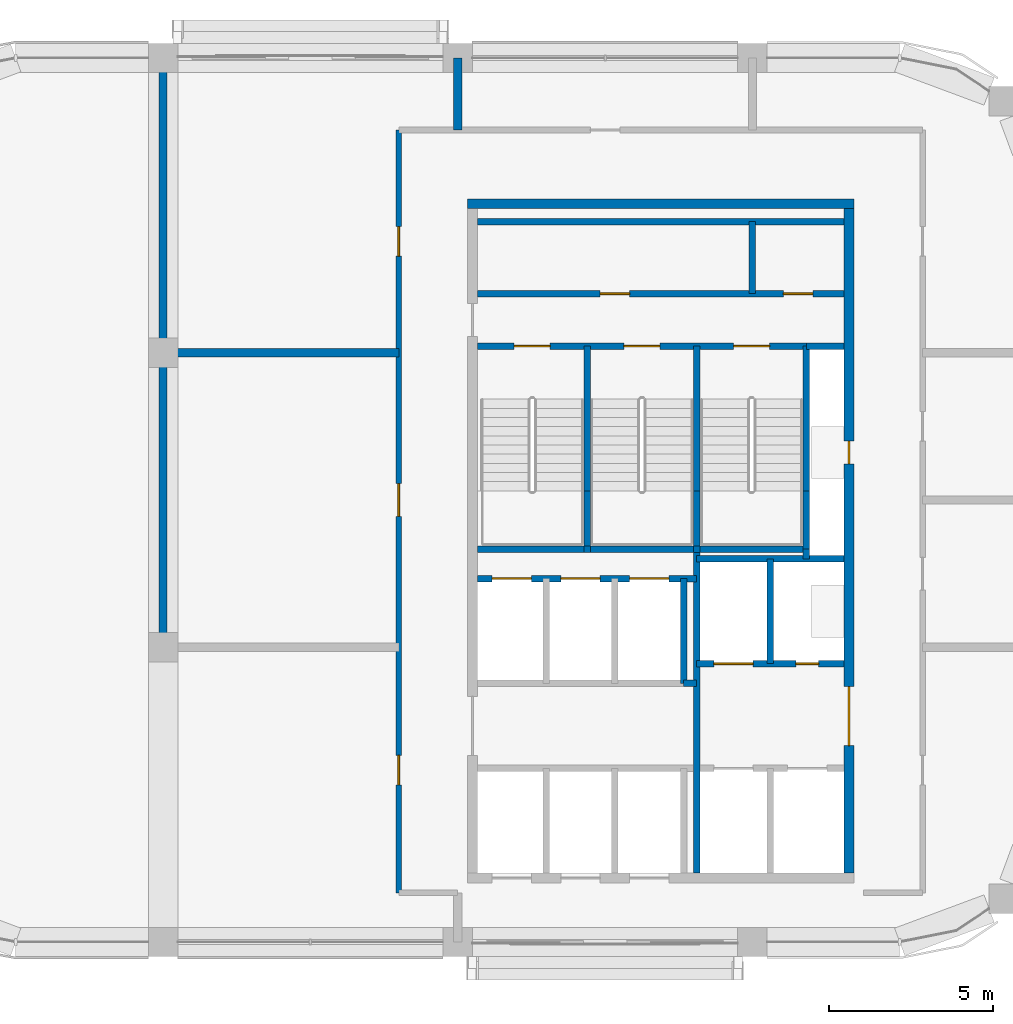
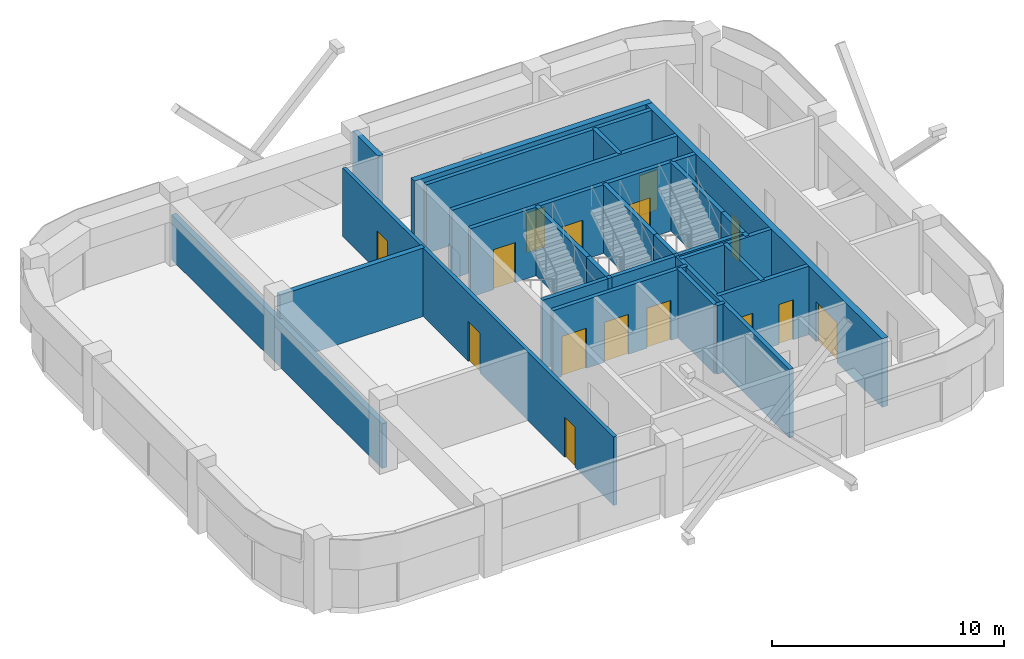
# One storey, part 7 of 9: 30 walls, 15 doors, 15 openings.
"""IFC4 building model written with IfcOpenShell, lengths in metres."""

from ifc_helpers import new_model, si_unit, direction, frame, frame_2d, origin, place, context, subcontext, project, spatial, rectangle, extrude, material, layer, layer_set, type_object, element, fill, save


model = new_model("IFC4")

# Units and contexts
model_context = context("Model", 3, precision=1e-05, world=origin(), true_north=direction((0.0, 1.0)))
body_context = subcontext(model_context, "Body", "Model", "MODEL_VIEW")
ifc_project = project(units=[si_unit("LENGTHUNIT", "METRE"), si_unit("AREAUNIT", "SQUARE_METRE"), si_unit("VOLUMEUNIT", "CUBIC_METRE"), si_unit("PLANEANGLEUNIT", "RADIAN"), si_unit("MASSUNIT", "GRAM", prefix="KILO")], contexts=[model_context])

# Site, building, storey
site_placement = place(None, origin())
site = spatial("IfcSite", under=ifc_project, at=site_placement, CompositionType="ELEMENT")
building_placement = place(site_placement, origin())
building = spatial("IfcBuilding", under=site, at=building_placement, Name="Tessera Arch", CompositionType="ELEMENT")
storey_placement = place(building_placement, frame((0.0, 0.0, 316.800048828125)))
storey = spatial("IfcBuildingStorey", under=building, at=storey_placement, Name="L76", CompositionType="ELEMENT", Elevation=316.800048828125)

# Walls
ifc_material_1 = material(Name="Gypsum board on steel stud", Category="steel")
ifc_layer_1 = layer(ifc_material_1, 0.125)
ifc_layer_set_1 = layer_set([ifc_layer_1], Name="Core partition 125 EI 60")
wall_type_1 = type_object("IfcWallType", Name="Core partition 125 EI 60", PredefinedType="PARTITIONING", material=ifc_layer_set_1)
wall_1_placement = place(storey_placement, frame((45.0, 46.800048828125, 0.0), z_axis=(0.0, 0.0, 1.0), x_axis=(0.0, 1.0, 0.0)))
element("IfcWall", 1, at=wall_1_placement, inside=storey, type_object=wall_type_1, Name="L76 C1 partition wall 12", PredefinedType="PARTITIONING", context=body_context, shape_type="SweptSolid", body=[
    extrude(rectangle(XDim=2.199951171875, YDim=0.199951171875, at=frame_2d((1.10009765625, 0.0))), origin(), (0.0, 0.0, 1.0), 3.599853515625),
])
wall_2_placement = place(storey_placement, frame((42.89990234375, 34.89990234375, 0.0), z_axis=(0.0, 0.0, 1.0), x_axis=(1.0, 0.0, 0.0)))
element("IfcWall", 2, at=wall_2_placement, inside=storey, type_object=wall_type_1, Name="L76 C1 partition wall 19", PredefinedType="PARTITIONING", context=body_context, shape_type="SweptSolid", body=[
    extrude(rectangle(XDim=0.400146484375, YDim=0.199951171875, at=frame_2d((0.2001953125, 0.0))), origin(), (0.0, 0.0, 1.0), 3.599853515625),
])

# Wall, openings, doors
wall_3_placement = place(storey_placement, frame((36.60009765625, 46.800048828125, 0.0), z_axis=(0.0, 0.0, 1.0), x_axis=(1.0, 0.0, 0.0)))
wall_3 = element("IfcWall", 3, at=wall_3_placement, inside=storey, type_object=wall_type_1, Name="L76 C1 partition wall 31", PredefinedType="PARTITIONING", context=body_context, shape_type="SweptSolid", body=[
    extrude(rectangle(XDim=11.199951171875, YDim=0.199951171875, at=frame_2d((5.60009765625, 0.0))), origin(), (0.0, 0.0, 1.0), 3.599853515625),
])
opening_1_placement = place(wall_3_placement, frame((3.75, 0.0, 0.0)))
opening_1 = element("IfcOpeningElement", 4, at=opening_1_placement, cuts=wall_3, Name="Opening L76-C18", PredefinedType="OPENING", context=body_context, shape_type="SweptSolid", body=[
    extrude(rectangle(XDim=0.89990234375, YDim=2.10009765625, at=frame_2d((0.449951171875, 1.050048828125))), frame((0.0, 0.10986328125, 0.0), z_axis=(0.0, -1.0, 0.0), x_axis=(1.0, 0.0, 0.0)), (0.0, 0.0, 1.0), 0.219970703125),
])
opening_2_placement = place(wall_3_placement, frame((9.35009765625, 0.0, 0.0)))
opening_2 = element("IfcOpeningElement", 5, at=opening_2_placement, cuts=wall_3, Name="Opening L76-C19", PredefinedType="OPENING", context=body_context, shape_type="SweptSolid", body=[
    extrude(rectangle(XDim=0.89990234375, YDim=2.10009765625, at=frame_2d((0.449951171875, 1.050048828125))), frame((0.0, 0.10986328125, 0.0), z_axis=(0.0, -1.0, 0.0), x_axis=(1.0, 0.0, 0.0)), (0.0, 0.0, 1.0), 0.219970703125),
])
ifc_material_2 = material(Name="Steel door leaf", Category="steel")
door_type_1 = type_object("IfcDoorType", Name="Store door FD30S 900 x 2100", OperationType="SINGLE_SWING_LEFT", PredefinedType="DOOR", material=ifc_material_2)
door_1_placement = place(opening_1_placement, origin())
door_1 = element("IfcDoor", 6, at=door_1_placement, inside=storey, type_object=door_type_1, Name="L76 C1 door 18 C18 type D09", OperationType="SINGLE_SWING_LEFT", OverallHeight=2.10009765625, OverallWidth=0.89990234375, PredefinedType="DOOR", context=body_context, shape_type="SweptSolid", body=[
    extrude(rectangle(XDim=0.89990234375, YDim=2.10009765625, at=frame_2d((0.449951171875, 1.050048828125))), frame((0.0, 0.02490234375, 0.0), z_axis=(0.0, -1.0, 0.0), x_axis=(1.0, 0.0, 0.0)), (0.0, 0.0, 1.0), 0.050048828125),
])
fill(opening_1, door_1)
door_2_placement = place(opening_2_placement, origin())
door_2 = element("IfcDoor", 7, at=door_2_placement, inside=storey, type_object=door_type_1, Name="L76 C1 door 19 C19 type D09", OperationType="SINGLE_SWING_RIGHT", OverallHeight=2.10009765625, OverallWidth=0.89990234375, PredefinedType="DOOR", context=body_context, shape_type="SweptSolid", body=[
    extrude(rectangle(XDim=0.89990234375, YDim=2.10009765625, at=frame_2d((0.449951171875, 1.050048828125))), frame((0.0, 0.02490234375, 0.0), z_axis=(0.0, -1.0, 0.0), x_axis=(1.0, 0.0, 0.0)), (0.0, 0.0, 1.0), 0.050048828125),
])
fill(opening_2, door_2)

# Walls
wall_4_placement = place(storey_placement, frame((36.60009765625, 49.0, 0.0), z_axis=(0.0, 0.0, 1.0), x_axis=(1.0, 0.0, 0.0)))
element("IfcWall", 8, at=wall_4_placement, inside=storey, type_object=wall_type_1, Name="L76 C1 partition wall 32", PredefinedType="PARTITIONING", context=body_context, shape_type="SweptSolid", body=[
    extrude(rectangle(XDim=11.199951171875, YDim=0.199951171875, at=frame_2d((5.60009765625, 0.0))), origin(), (0.0, 0.0, 1.0), 3.599853515625),
])
ifc_material_3 = material(Name="Concrete C50/60", Category="concrete")
ifc_layer_2 = layer(ifc_material_3, 0.300048828125)
ifc_layer_set_2 = layer_set([ifc_layer_2], Name="Core shell wall 300 C50-60")
wall_type_2 = type_object("IfcWallType", Name="Core shell wall 300 C50-60", PredefinedType="SHEAR", material=ifc_layer_set_2)
wall_5_placement = place(storey_placement, frame((36.300048828125, 49.550048828125, 0.0), z_axis=(0.0, 0.0, 1.0), x_axis=(1.0, 0.0, 0.0)))
element("IfcWall", 9, at=wall_5_placement, inside=storey, type_object=wall_type_2, Name="L76 C1 core wall N", PredefinedType="SHEAR", context=body_context, shape_type="SweptSolid", body=[
    extrude(rectangle(XDim=11.800048828125, YDim=0.300048828125, at=frame_2d((5.89990234375, 0.0))), origin(), (0.0, 0.0, 1.0), 3.599853515625),
])

# Wall, openings, doors
wall_6_placement = place(storey_placement, frame((47.949951171875, 29.10009765625, 0.0), z_axis=(0.0, 0.0, 1.0), x_axis=(0.0, 1.0, 0.0)))
wall_6 = element("IfcWall", 10, at=wall_6_placement, inside=storey, type_object=wall_type_2, Name="L76 C1 core wall E", PredefinedType="SHEAR", context=body_context, shape_type="SweptSolid", body=[
    extrude(rectangle(XDim=20.2998046875, YDim=0.300048828125, at=frame_2d((10.14990234375, 0.0))), origin(), (0.0, 0.0, 1.0), 3.599853515625),
])
opening_3_placement = place(wall_6_placement, frame((12.5, 0.0, 0.0)))
opening_3 = element("IfcOpeningElement", 11, at=opening_3_placement, cuts=wall_6, Name="Opening L76-C14", PredefinedType="OPENING", context=body_context, shape_type="SweptSolid", body=[
    extrude(rectangle(XDim=0.699951171875, YDim=2.10009765625, at=frame_2d((0.35009765625, 1.050048828125))), frame((0.0, 0.159912109375, 0.0), z_axis=(0.0, -1.0, 0.0), x_axis=(1.0, 0.0, 0.0)), (0.0, 0.0, 1.0), 0.320068359375),
])
opening_4_placement = place(wall_6_placement, frame((3.89990234375, 0.0, 0.0)))
opening_4 = element("IfcOpeningElement", 12, at=opening_4_placement, cuts=wall_6, Name="Opening L76-C15", PredefinedType="OPENING", context=body_context, shape_type="SweptSolid", body=[
    extrude(rectangle(XDim=1.800048828125, YDim=2.10009765625, at=frame_2d((0.89990234375, 1.050048828125))), frame((0.0, 0.159912109375, 0.0), z_axis=(0.0, -1.0, 0.0), x_axis=(1.0, 0.0, 0.0)), (0.0, 0.0, 1.0), 0.320068359375),
])
ifc_material_4 = material(Name="Glazed steel door leaf", Category="steel")
door_type_2 = type_object("IfcDoorType", Name="Lobby double door FD60 1800 x 2100", OperationType="DOUBLE_DOOR_SINGLE_SWING", PredefinedType="DOOR", material=ifc_material_4)
door_3_placement = place(opening_4_placement, origin())
door_3 = element("IfcDoor", 13, at=door_3_placement, inside=storey, type_object=door_type_2, Name="L76 C1 door 15 C15 type D19", OperationType="DOUBLE_DOOR_SINGLE_SWING", OverallHeight=2.10009765625, OverallWidth=1.800048828125, PredefinedType="DOOR", context=body_context, shape_type="SweptSolid", body=[
    extrude(rectangle(XDim=1.800048828125, YDim=2.10009765625, at=frame_2d((0.89990234375, 1.050048828125))), frame((0.0, 0.02490234375, 0.0), z_axis=(0.0, -1.0, 0.0), x_axis=(1.0, 0.0, 0.0)), (0.0, 0.0, 1.0), 0.050048828125),
])
fill(opening_4, door_3)
ifc_material_5 = material(Name="Steel door leaf", Category="steel")
door_type_3 = type_object("IfcDoorType", Name="Service shaft door FD60 700 x 2100", OperationType="SINGLE_SWING_LEFT", PredefinedType="DOOR", material=ifc_material_5)
door_4_placement = place(opening_3_placement, origin())
door_4 = element("IfcDoor", 14, at=door_4_placement, inside=storey, type_object=door_type_3, Name="L76 C1 door 14 C14 type D07", OperationType="SINGLE_SWING_RIGHT", OverallHeight=2.10009765625, OverallWidth=0.699951171875, PredefinedType="DOOR", context=body_context, shape_type="SweptSolid", body=[
    extrude(rectangle(XDim=0.699951171875, YDim=2.10009765625, at=frame_2d((0.35009765625, 1.050048828125))), frame((0.0, 0.02490234375, 0.0), z_axis=(0.0, -1.0, 0.0), x_axis=(1.0, 0.0, 0.0)), (0.0, 0.0, 1.0), 0.050048828125),
])
fill(opening_3, door_4)

ifc_material_6 = material(Name="Gypsum board on deep steel stud with mineral wool", Category="steel")
ifc_layer_3 = layer(ifc_material_6, 0.175048828125)
ifc_layer_set_3 = layer_set([ifc_layer_3], Name="Corridor wall 175 EI 60")
wall_type_3 = type_object("IfcWallType", Name="Corridor wall 175 EI 60", PredefinedType="PARTITIONING", material=ifc_layer_set_3)
wall_7_placement = place(storey_placement, frame((34.199951171875, 28.5, 0.0), z_axis=(0.0, 0.0, 1.0), x_axis=(0.0, 1.0, 0.0)))
wall_7 = element("IfcWall", 15, at=wall_7_placement, inside=storey, type_object=wall_type_3, Name="L76 partition 4", PredefinedType="PARTITIONING", context=body_context, shape_type="SweptSolid", body=[
    extrude(rectangle(XDim=23.300048828125, YDim=0.175048828125, at=frame_2d((11.64990234375, 0.0))), origin(), (0.0, 0.0, 1.0), 3.599853515625),
])
opening_5_placement = place(wall_7_placement, frame((3.300048828125, 0.0, 0.0)))
opening_5 = element("IfcOpeningElement", 16, at=opening_5_placement, cuts=wall_7, Name="Opening L76-D003", PredefinedType="OPENING", context=body_context, shape_type="SweptSolid", body=[
    extrude(rectangle(XDim=0.89990234375, YDim=2.10009765625, at=frame_2d((0.449951171875, 1.050048828125))), frame((0.0, 0.097412109375, 0.0), z_axis=(0.0, -1.0, 0.0), x_axis=(1.0, 0.0, 0.0)), (0.0, 0.0, 1.0), 0.195068359375),
])
opening_6_placement = place(wall_7_placement, frame((11.5, 0.0, 0.0)))
opening_6 = element("IfcOpeningElement", 17, at=opening_6_placement, cuts=wall_7, Name="Opening L76-D004", PredefinedType="OPENING", context=body_context, shape_type="SweptSolid", body=[
    extrude(rectangle(XDim=1.0, YDim=2.10009765625, at=frame_2d((0.5, 1.050048828125))), frame((0.0, 0.097412109375, 0.0), z_axis=(0.0, -1.0, 0.0), x_axis=(1.0, 0.0, 0.0)), (0.0, 0.0, 1.0), 0.195068359375),
])
opening_7_placement = place(wall_7_placement, frame((19.449951171875, 0.0, 0.0)))
opening_7 = element("IfcOpeningElement", 18, at=opening_7_placement, cuts=wall_7, Name="Opening L76-D006", PredefinedType="OPENING", context=body_context, shape_type="SweptSolid", body=[
    extrude(rectangle(XDim=0.89990234375, YDim=2.10009765625, at=frame_2d((0.449951171875, 1.050048828125))), frame((0.0, 0.097412109375, 0.0), z_axis=(0.0, -1.0, 0.0), x_axis=(1.0, 0.0, 0.0)), (0.0, 0.0, 1.0), 0.195068359375),
])
ifc_material_7 = material(Name="Fire-rated door leaf")
door_type_4 = type_object("IfcDoorType", Name="Entrance door FD30S 1000 x 2100", OperationType="SINGLE_SWING_LEFT", PredefinedType="DOOR", material=ifc_material_7)
door_5_placement = place(opening_6_placement, origin())
door_5 = element("IfcDoor", 19, at=door_5_placement, inside=storey, type_object=door_type_4, Name="L76 door D004 type D03", OperationType="SINGLE_SWING_RIGHT", OverallHeight=2.10009765625, OverallWidth=1.0, PredefinedType="DOOR", context=body_context, shape_type="SweptSolid", body=[
    extrude(rectangle(XDim=1.0, YDim=2.10009765625, at=frame_2d((0.5, 1.050048828125))), frame((0.0, 0.02490234375, 0.0), z_axis=(0.0, -1.0, 0.0), x_axis=(1.0, 0.0, 0.0)), (0.0, 0.0, 1.0), 0.050048828125),
])
fill(opening_6, door_5)
ifc_material_8 = material(Name="Timber door leaf", Category="wood")
door_type_5 = type_object("IfcDoorType", Name="Room door 900 x 2100", OperationType="SINGLE_SWING_LEFT", PredefinedType="DOOR", material=ifc_material_8)
door_6_placement = place(opening_5_placement, origin())
door_6 = element("IfcDoor", 20, at=door_6_placement, inside=storey, type_object=door_type_5, Name="L76 door D003 type D01", OperationType="SINGLE_SWING_LEFT", OverallHeight=2.10009765625, OverallWidth=0.89990234375, PredefinedType="DOOR", context=body_context, shape_type="SweptSolid", body=[
    extrude(rectangle(XDim=0.89990234375, YDim=2.10009765625, at=frame_2d((0.449951171875, 1.050048828125))), frame((0.0, 0.02490234375, 0.0), z_axis=(0.0, -1.0, 0.0), x_axis=(1.0, 0.0, 0.0)), (0.0, 0.0, 1.0), 0.050048828125),
])
fill(opening_5, door_6)
door_7_placement = place(opening_7_placement, origin())
door_7 = element("IfcDoor", 21, at=door_7_placement, inside=storey, type_object=door_type_5, Name="L76 door D006 type D01", OperationType="SINGLE_SWING_RIGHT", OverallHeight=2.10009765625, OverallWidth=0.89990234375, PredefinedType="DOOR", context=body_context, shape_type="SweptSolid", body=[
    extrude(rectangle(XDim=0.89990234375, YDim=2.10009765625, at=frame_2d((0.449951171875, 1.050048828125))), frame((0.0, 0.02490234375, 0.0), z_axis=(0.0, -1.0, 0.0), x_axis=(1.0, 0.0, 0.0)), (0.0, 0.0, 1.0), 0.050048828125),
])
fill(opening_7, door_7)

# Walls
ifc_material_9 = material(Name="Double gypsum board on twin steel stud with acoustic mineral wool", Category="steel")
ifc_layer_4 = layer(ifc_material_9, 0.25)
ifc_layer_set_4 = layer_set([ifc_layer_4], Name="Party wall 250 EI 60")
wall_type_4 = type_object("IfcWallType", Name="Party wall 250 EI 60", PredefinedType="PARTITIONING", material=ifc_layer_set_4)
wall_8_placement = place(storey_placement, frame((27.0, 45.0, 0.0), z_axis=(0.0, 0.0, 1.0), x_axis=(1.0, 0.0, 0.0)))
element("IfcWall", 22, at=wall_8_placement, inside=storey, type_object=wall_type_4, Name="L76 partition 9", PredefinedType="PARTITIONING", context=body_context, shape_type="SweptSolid", body=[
    extrude(rectangle(XDim=7.199951171875, YDim=0.25, at=frame_2d((3.60009765625, 0.0))), origin(), (0.0, 0.0, 1.0), 3.599853515625),
])
wall_9_placement = place(storey_placement, frame((27.0, 35.875, 0.0), z_axis=(0.0, 0.0, 1.0), x_axis=(0.0, 1.0, 0.0)))
element("IfcWall", 23, at=wall_9_placement, inside=storey, type_object=wall_type_4, Name="L76 partition 11", PredefinedType="PARTITIONING", context=body_context, shape_type="SweptSolid", body=[
    extrude(rectangle(XDim=18.125, YDim=0.25, at=frame_2d((9.0625, 0.0))), origin(), (0.0, 0.0, 1.0), 2.349853515625),
])
wall_10_placement = place(storey_placement, frame((36.0, 51.800048828125, 0.0), z_axis=(0.0, 0.0, 1.0), x_axis=(0.0, 1.0, 0.0)))
element("IfcWall", 24, at=wall_10_placement, inside=storey, type_object=wall_type_4, Name="L76 partition 13", PredefinedType="PARTITIONING", context=body_context, shape_type="SweptSolid", body=[
    extrude(rectangle(XDim=2.199951171875, YDim=0.25, at=frame_2d((1.10009765625, 0.0))), origin(), (0.0, 0.0, 1.0), 3.599853515625),
])
ifc_material_10 = material(Name="Concrete C40/50", Category="concrete")
ifc_layer_5 = layer(ifc_material_10, 0.199951171875)
ifc_layer_set_5 = layer_set([ifc_layer_5], Name="Shaft wall 200 EI 120")
wall_type_5 = type_object("IfcWallType", Name="Shaft wall 200 EI 120", PredefinedType="SOLIDWALL", material=ifc_layer_set_5)
wall_11_placement = place(storey_placement, frame((42.89990234375, 34.89990234375, 0.0), z_axis=(0.0, 0.0, 1.0), x_axis=(0.0, 1.0, 0.0)))
element("IfcWall", 25, at=wall_11_placement, inside=storey, type_object=wall_type_5, Name="L76 C1 shaft wall 8", PredefinedType="SOLIDWALL", context=body_context, shape_type="SweptSolid", body=[
    extrude(rectangle(XDim=3.2001953125, YDim=0.199951171875, at=frame_2d((1.60009765625, 0.0))), origin(), (0.0, 0.0, 1.0), 3.599853515625),
])
wall_12_placement = place(storey_placement, frame((43.300048828125, 29.10009765625, 0.0), z_axis=(0.0, 0.0, 1.0), x_axis=(0.0, 1.0, 0.0)))
element("IfcWall", 26, at=wall_12_placement, inside=storey, type_object=wall_type_5, Name="L76 C1 shaft wall 9", PredefinedType="SOLIDWALL", context=body_context, shape_type="SweptSolid", body=[
    extrude(rectangle(XDim=9.89990234375, YDim=0.199951171875, at=frame_2d((4.949951171875, 0.0))), origin(), (0.0, 0.0, 1.0), 3.599853515625),
])
wall_13_placement = place(storey_placement, frame((45.550048828125, 35.5, 0.0), z_axis=(0.0, 0.0, 1.0), x_axis=(0.0, 1.0, 0.0)))
element("IfcWall", 27, at=wall_13_placement, inside=storey, type_object=wall_type_5, Name="L76 C1 shaft wall 14", PredefinedType="SOLIDWALL", context=body_context, shape_type="SweptSolid", body=[
    extrude(rectangle(XDim=3.199951171875, YDim=0.199951171875, at=frame_2d((1.60009765625, 0.0))), origin(), (0.0, 0.0, 1.0), 3.599853515625),
])
wall_14_placement = place(storey_placement, frame((46.64990234375, 38.699951171875, 0.0), z_axis=(0.0, 0.0, 1.0), x_axis=(0.0, 1.0, 0.0)))
element("IfcWall", 28, at=wall_14_placement, inside=storey, type_object=wall_type_5, Name="L76 C1 shaft wall 15", PredefinedType="SOLIDWALL", context=body_context, shape_type="SweptSolid", body=[
    extrude(rectangle(XDim=0.300048828125, YDim=0.199951171875, at=frame_2d((0.14990234375, 0.0))), origin(), (0.0, 0.0, 1.0), 3.599853515625),
])

# Wall, openings, doors
wall_15_placement = place(storey_placement, frame((43.300048828125, 35.5, 0.0), z_axis=(0.0, 0.0, 1.0), x_axis=(1.0, 0.0, 0.0)))
wall_15 = element("IfcWall", 29, at=wall_15_placement, inside=storey, type_object=wall_type_5, Name="L76 C1 shaft wall 21", PredefinedType="SOLIDWALL", context=body_context, shape_type="SweptSolid", body=[
    extrude(rectangle(XDim=4.5, YDim=0.199951171875, at=frame_2d((2.25, 0.0))), origin(), (0.0, 0.0, 1.0), 3.599853515625),
])
opening_8_placement = place(wall_15_placement, frame((0.52490234375, 0.0, 0.0)))
opening_8 = element("IfcOpeningElement", 30, at=opening_8_placement, cuts=wall_15, Name="Opening L76-C09", PredefinedType="OPENING", context=body_context, shape_type="SweptSolid", body=[
    extrude(rectangle(XDim=1.199951171875, YDim=2.10009765625, at=frame_2d((0.60009765625, 1.050048828125))), frame((0.0, 0.10986328125, 0.0), z_axis=(0.0, -1.0, 0.0), x_axis=(1.0, 0.0, 0.0)), (0.0, 0.0, 1.0), 0.219970703125),
])
opening_9_placement = place(wall_15_placement, frame((3.02490234375, 0.0, 0.0)))
opening_9 = element("IfcOpeningElement", 31, at=opening_9_placement, cuts=wall_15, Name="Opening L76-C16", PredefinedType="OPENING", context=body_context, shape_type="SweptSolid", body=[
    extrude(rectangle(XDim=0.699951171875, YDim=2.10009765625, at=frame_2d((0.35009765625, 1.050048828125))), frame((0.0, 0.10986328125, 0.0), z_axis=(0.0, -1.0, 0.0), x_axis=(1.0, 0.0, 0.0)), (0.0, 0.0, 1.0), 0.219970703125),
])
door_8_placement = place(opening_9_placement, origin())
door_8 = element("IfcDoor", 32, at=door_8_placement, inside=storey, type_object=door_type_3, Name="L76 C1 door 16 C16 type D07", OperationType="SINGLE_SWING_RIGHT", OverallHeight=2.10009765625, OverallWidth=0.699951171875, PredefinedType="DOOR", context=body_context, shape_type="SweptSolid", body=[
    extrude(rectangle(XDim=0.699951171875, YDim=2.10009765625, at=frame_2d((0.35009765625, 1.050048828125))), frame((0.0, 0.02490234375, 0.0), z_axis=(0.0, -1.0, 0.0), x_axis=(1.0, 0.0, 0.0)), (0.0, 0.0, 1.0), 0.050048828125),
])
fill(opening_9, door_8)
ifc_material_11 = material(Name="Stainless steel AISI 304", Category="steel")
door_type_6 = type_object("IfcDoorType", Name="Sliding landing door 1200 x 2100", OperationType="SLIDING_TO_LEFT", PredefinedType="DOOR", material=ifc_material_11)
door_9_placement = place(opening_8_placement, origin())
door_9 = element("IfcDoor", 33, at=door_9_placement, inside=storey, type_object=door_type_6, Name="L76 SV2 lift landing door C09 type LD", OperationType="SLIDING_TO_LEFT", OverallHeight=2.10009765625, OverallWidth=1.199951171875, PredefinedType="DOOR", context=body_context, shape_type="SweptSolid", body=[
    extrude(rectangle(XDim=1.199951171875, YDim=2.10009765625, at=frame_2d((0.60009765625, 1.050048828125))), frame((0.0, 0.02490234375, 0.0), z_axis=(0.0, -1.0, 0.0), x_axis=(1.0, 0.0, 0.0)), (0.0, 0.0, 1.0), 0.050048828125),
])
fill(opening_8, door_9)

wall_16_placement = place(storey_placement, frame((36.60009765625, 38.10009765625, 0.0), z_axis=(0.0, 0.0, 1.0), x_axis=(1.0, 0.0, 0.0)))
wall_16 = element("IfcWall", 34, at=wall_16_placement, inside=storey, type_object=wall_type_5, Name="L76 C1 shaft wall 22", PredefinedType="SOLIDWALL", context=body_context, shape_type="SweptSolid", body=[
    extrude(rectangle(XDim=6.699951171875, YDim=0.199951171875, at=frame_2d((3.35009765625, 0.0))), origin(), (0.0, 0.0, 1.0), 3.599853515625),
])
opening_10_placement = place(wall_16_placement, frame((0.449951171875, 0.0, 0.0)))
opening_10 = element("IfcOpeningElement", 35, at=opening_10_placement, cuts=wall_16, Name="Opening L76-C02", PredefinedType="OPENING", context=body_context, shape_type="SweptSolid", body=[
    extrude(rectangle(XDim=1.199951171875, YDim=2.10009765625, at=frame_2d((0.60009765625, 1.050048828125))), frame((0.0, 0.10986328125, 0.0), z_axis=(0.0, -1.0, 0.0), x_axis=(1.0, 0.0, 0.0)), (0.0, 0.0, 1.0), 0.219970703125),
])
opening_11_placement = place(wall_16_placement, frame((2.550048828125, 0.0, 0.0)))
opening_11 = element("IfcOpeningElement", 36, at=opening_11_placement, cuts=wall_16, Name="Opening L76-C04", PredefinedType="OPENING", context=body_context, shape_type="SweptSolid", body=[
    extrude(rectangle(XDim=1.199951171875, YDim=2.10009765625, at=frame_2d((0.60009765625, 1.050048828125))), frame((0.0, 0.10986328125, 0.0), z_axis=(0.0, -1.0, 0.0), x_axis=(1.0, 0.0, 0.0)), (0.0, 0.0, 1.0), 0.219970703125),
])
opening_12_placement = place(wall_16_placement, frame((4.64990234375, 0.0, 0.0)))
opening_12 = element("IfcOpeningElement", 37, at=opening_12_placement, cuts=wall_16, Name="Opening L76-C06", PredefinedType="OPENING", context=body_context, shape_type="SweptSolid", body=[
    extrude(rectangle(XDim=1.199951171875, YDim=2.10009765625, at=frame_2d((0.60009765625, 1.050048828125))), frame((0.0, 0.10986328125, 0.0), z_axis=(0.0, -1.0, 0.0), x_axis=(1.0, 0.0, 0.0)), (0.0, 0.0, 1.0), 0.219970703125),
])
door_10_placement = place(opening_10_placement, origin())
door_10 = element("IfcDoor", 38, at=door_10_placement, inside=storey, type_object=door_type_6, Name="L76 HR4 lift landing door C02 type LD", OperationType="SLIDING_TO_LEFT", OverallHeight=2.10009765625, OverallWidth=1.199951171875, PredefinedType="DOOR", context=body_context, shape_type="SweptSolid", body=[
    extrude(rectangle(XDim=1.199951171875, YDim=2.10009765625, at=frame_2d((0.60009765625, 1.050048828125))), frame((0.0, 0.02490234375, 0.0), z_axis=(0.0, -1.0, 0.0), x_axis=(1.0, 0.0, 0.0)), (0.0, 0.0, 1.0), 0.050048828125),
])
fill(opening_10, door_10)
door_11_placement = place(opening_11_placement, origin())
door_11 = element("IfcDoor", 39, at=door_11_placement, inside=storey, type_object=door_type_6, Name="L76 HR5 lift landing door C04 type LD", OperationType="SLIDING_TO_LEFT", OverallHeight=2.10009765625, OverallWidth=1.199951171875, PredefinedType="DOOR", context=body_context, shape_type="SweptSolid", body=[
    extrude(rectangle(XDim=1.199951171875, YDim=2.10009765625, at=frame_2d((0.60009765625, 1.050048828125))), frame((0.0, 0.02490234375, 0.0), z_axis=(0.0, -1.0, 0.0), x_axis=(1.0, 0.0, 0.0)), (0.0, 0.0, 1.0), 0.050048828125),
])
fill(opening_11, door_11)
door_12_placement = place(opening_12_placement, origin())
door_12 = element("IfcDoor", 40, at=door_12_placement, inside=storey, type_object=door_type_6, Name="L76 HR6 lift landing door C06 type LD", OperationType="SLIDING_TO_LEFT", OverallHeight=2.10009765625, OverallWidth=1.199951171875, PredefinedType="DOOR", context=body_context, shape_type="SweptSolid", body=[
    extrude(rectangle(XDim=1.199951171875, YDim=2.10009765625, at=frame_2d((0.60009765625, 1.050048828125))), frame((0.0, 0.02490234375, 0.0), z_axis=(0.0, -1.0, 0.0), x_axis=(1.0, 0.0, 0.0)), (0.0, 0.0, 1.0), 0.050048828125),
])
fill(opening_12, door_12)

# Walls
wall_17_placement = place(storey_placement, frame((43.300048828125, 38.699951171875, 0.0), z_axis=(0.0, 0.0, 1.0), x_axis=(1.0, 0.0, 0.0)))
element("IfcWall", 41, at=wall_17_placement, inside=storey, type_object=wall_type_5, Name="L76 C1 shaft wall 23", PredefinedType="SOLIDWALL", context=body_context, shape_type="SweptSolid", body=[
    extrude(rectangle(XDim=4.5, YDim=0.199951171875, at=frame_2d((2.25, 0.0))), origin(), (0.0, 0.0, 1.0), 3.599853515625),
])
wall_18_placement = place(storey_placement, frame((46.64990234375, 45.199951171875, 0.0), z_axis=(0.0, 0.0, 1.0), x_axis=(1.0, 0.0, 0.0)))
element("IfcWall", 42, at=wall_18_placement, inside=storey, type_object=wall_type_5, Name="L76 C1 shaft wall 29", PredefinedType="SOLIDWALL", context=body_context, shape_type="SweptSolid", body=[
    extrude(rectangle(XDim=1.150146484375, YDim=0.199951171875, at=frame_2d((0.5751953125, 0.0))), origin(), (0.0, 0.0, 1.0), 3.599853515625),
])
ifc_material_12 = material(Name="Concrete C40/50", Category="concrete")
ifc_layer_6 = layer(ifc_material_12, 0.199951171875)
ifc_layer_set_6 = layer_set([ifc_layer_6], Name="Stair well wall 200 REI 180")
wall_type_6 = type_object("IfcWallType", Name="Stair well wall 200 REI 180", PredefinedType="SOLIDWALL", material=ifc_layer_set_6)
wall_19_placement = place(storey_placement, frame((39.949951171875, 39.0, 0.0), z_axis=(0.0, 0.0, 1.0), x_axis=(0.0, 1.0, 0.0)))
element("IfcWall", 43, at=wall_19_placement, inside=storey, type_object=wall_type_6, Name="L76 C1 shaft wall 3", PredefinedType="SOLIDWALL", context=body_context, shape_type="SweptSolid", body=[
    extrude(rectangle(XDim=1.780029296875, YDim=0.199951171875, at=frame_2d((0.89013671875, 0.0))), origin(), (0.0, 0.0, 1.0), 3.599853515625),
])
wall_20_placement = place(storey_placement, frame((39.949951171875, 40.780029296875, 0.0), z_axis=(0.0, 0.0, 1.0), x_axis=(0.0, 1.0, 0.0)))
element("IfcWall", 44, at=wall_20_placement, inside=storey, type_object=wall_type_6, Name="L76 C1 shaft wall 4", PredefinedType="SOLIDWALL", context=body_context, shape_type="SweptSolid", body=[
    extrude(rectangle(XDim=4.419921875, YDim=0.199951171875, at=frame_2d((2.2099609375, 0.0))), origin(), (0.0, 0.0, 1.0), 3.599853515625),
])
wall_21_placement = place(storey_placement, frame((43.300048828125, 39.0, 0.0), z_axis=(0.0, 0.0, 1.0), x_axis=(0.0, 1.0, 0.0)))
element("IfcWall", 45, at=wall_21_placement, inside=storey, type_object=wall_type_6, Name="L76 C1 shaft wall 10", PredefinedType="SOLIDWALL", context=body_context, shape_type="SweptSolid", body=[
    extrude(rectangle(XDim=1.780029296875, YDim=0.199951171875, at=frame_2d((0.89013671875, 0.0))), origin(), (0.0, 0.0, 1.0), 3.599853515625),
])
wall_22_placement = place(storey_placement, frame((43.300048828125, 40.780029296875, 0.0), z_axis=(0.0, 0.0, 1.0), x_axis=(0.0, 1.0, 0.0)))
element("IfcWall", 46, at=wall_22_placement, inside=storey, type_object=wall_type_6, Name="L76 C1 shaft wall 11", PredefinedType="SOLIDWALL", context=body_context, shape_type="SweptSolid", body=[
    extrude(rectangle(XDim=4.419921875, YDim=0.199951171875, at=frame_2d((2.2099609375, 0.0))), origin(), (0.0, 0.0, 1.0), 3.599853515625),
])
wall_23_placement = place(storey_placement, frame((46.64990234375, 39.0, 0.0), z_axis=(0.0, 0.0, 1.0), x_axis=(0.0, 1.0, 0.0)))
element("IfcWall", 47, at=wall_23_placement, inside=storey, type_object=wall_type_6, Name="L76 C1 shaft wall 16", PredefinedType="SOLIDWALL", context=body_context, shape_type="SweptSolid", body=[
    extrude(rectangle(XDim=1.780029296875, YDim=0.199951171875, at=frame_2d((0.89013671875, 0.0))), origin(), (0.0, 0.0, 1.0), 3.599853515625),
])
wall_24_placement = place(storey_placement, frame((46.64990234375, 40.780029296875, 0.0), z_axis=(0.0, 0.0, 1.0), x_axis=(0.0, 1.0, 0.0)))
element("IfcWall", 48, at=wall_24_placement, inside=storey, type_object=wall_type_6, Name="L76 C1 shaft wall 17", PredefinedType="SOLIDWALL", context=body_context, shape_type="SweptSolid", body=[
    extrude(rectangle(XDim=4.419921875, YDim=0.199951171875, at=frame_2d((2.2099609375, 0.0))), origin(), (0.0, 0.0, 1.0), 3.599853515625),
])
wall_25_placement = place(storey_placement, frame((36.60009765625, 39.0, 0.0), z_axis=(0.0, 0.0, 1.0), x_axis=(1.0, 0.0, 0.0)))
element("IfcWall", 49, at=wall_25_placement, inside=storey, type_object=wall_type_6, Name="L76 C1 shaft wall 24", PredefinedType="SOLIDWALL", context=body_context, shape_type="SweptSolid", body=[
    extrude(rectangle(XDim=3.25, YDim=0.199951171875, at=frame_2d((1.625, 0.0))), origin(), (0.0, 0.0, 1.0), 3.599853515625),
])
wall_26_placement = place(storey_placement, frame((39.85009765625, 39.0, 0.0), z_axis=(0.0, 0.0, 1.0), x_axis=(1.0, 0.0, 0.0)))
element("IfcWall", 50, at=wall_26_placement, inside=storey, type_object=wall_type_6, Name="L76 C1 shaft wall 25", PredefinedType="SOLIDWALL", context=body_context, shape_type="SweptSolid", body=[
    extrude(rectangle(XDim=0.199951171875, YDim=0.199951171875, at=frame_2d((0.10009765625, 0.0))), origin(), (0.0, 0.0, 1.0), 3.599853515625),
])
wall_27_placement = place(storey_placement, frame((40.050048828125, 39.0, 0.0), z_axis=(0.0, 0.0, 1.0), x_axis=(1.0, 0.0, 0.0)))
element("IfcWall", 51, at=wall_27_placement, inside=storey, type_object=wall_type_6, Name="L76 C1 shaft wall 26", PredefinedType="SOLIDWALL", context=body_context, shape_type="SweptSolid", body=[
    extrude(rectangle(XDim=3.14990234375, YDim=0.199951171875, at=frame_2d((1.574951171875, 0.0))), origin(), (0.0, 0.0, 1.0), 3.599853515625),
])
wall_28_placement = place(storey_placement, frame((43.199951171875, 39.0, 0.0), z_axis=(0.0, 0.0, 1.0), x_axis=(1.0, 0.0, 0.0)))
element("IfcWall", 52, at=wall_28_placement, inside=storey, type_object=wall_type_6, Name="L76 C1 shaft wall 27", PredefinedType="SOLIDWALL", context=body_context, shape_type="SweptSolid", body=[
    extrude(rectangle(XDim=0.199951171875, YDim=0.199951171875, at=frame_2d((0.10009765625, 0.0))), origin(), (0.0, 0.0, 1.0), 3.599853515625),
])
wall_29_placement = place(storey_placement, frame((43.39990234375, 39.0, 0.0), z_axis=(0.0, 0.0, 1.0), x_axis=(1.0, 0.0, 0.0)))
element("IfcWall", 53, at=wall_29_placement, inside=storey, type_object=wall_type_6, Name="L76 C1 shaft wall 28", PredefinedType="SOLIDWALL", context=body_context, shape_type="SweptSolid", body=[
    extrude(rectangle(XDim=3.25, YDim=0.199951171875, at=frame_2d((1.625, 0.0))), origin(), (0.0, 0.0, 1.0), 3.599853515625),
])

# Wall, openings, doors
wall_30_placement = place(storey_placement, frame((36.60009765625, 45.199951171875, 0.0), z_axis=(0.0, 0.0, 1.0), x_axis=(1.0, 0.0, 0.0)))
wall_30 = element("IfcWall", 54, at=wall_30_placement, inside=storey, type_object=wall_type_6, Name="L76 C1 shaft wall 30", PredefinedType="SOLIDWALL", context=body_context, shape_type="SweptSolid", body=[
    extrude(rectangle(XDim=10.0498046875, YDim=0.199951171875, at=frame_2d((5.02490234375, 0.0))), origin(), (0.0, 0.0, 1.0), 3.599853515625),
])
opening_13_placement = place(wall_30_placement, frame((1.125, 0.0, 0.0)))
opening_13 = element("IfcOpeningElement", 55, at=opening_13_placement, cuts=wall_30, Name="Opening L76-C11", PredefinedType="OPENING", context=body_context, shape_type="SweptSolid", body=[
    extrude(rectangle(XDim=1.10009765625, YDim=2.10009765625, at=frame_2d((0.550048828125, 1.050048828125))), frame((0.0, 0.10986328125, 0.0), z_axis=(0.0, -1.0, 0.0), x_axis=(1.0, 0.0, 0.0)), (0.0, 0.0, 1.0), 0.219970703125),
])
opening_14_placement = place(wall_30_placement, frame((4.47509765625, 0.0, 0.0)))
opening_14 = element("IfcOpeningElement", 56, at=opening_14_placement, cuts=wall_30, Name="Opening L76-C12", PredefinedType="OPENING", context=body_context, shape_type="SweptSolid", body=[
    extrude(rectangle(XDim=1.10009765625, YDim=2.10009765625, at=frame_2d((0.550048828125, 1.050048828125))), frame((0.0, 0.10986328125, 0.0), z_axis=(0.0, -1.0, 0.0), x_axis=(1.0, 0.0, 0.0)), (0.0, 0.0, 1.0), 0.219970703125),
])
opening_15_placement = place(wall_30_placement, frame((7.824951171875, 0.0, 0.0)))
opening_15 = element("IfcOpeningElement", 57, at=opening_15_placement, cuts=wall_30, Name="Opening L76-C13", PredefinedType="OPENING", context=body_context, shape_type="SweptSolid", body=[
    extrude(rectangle(XDim=1.10009765625, YDim=2.10009765625, at=frame_2d((0.550048828125, 1.050048828125))), frame((0.0, 0.10986328125, 0.0), z_axis=(0.0, -1.0, 0.0), x_axis=(1.0, 0.0, 0.0)), (0.0, 0.0, 1.0), 0.219970703125),
])
ifc_material_13 = material(Name="Steel door leaf", Category="steel")
door_type_7 = type_object("IfcDoorType", Name="Stair door FD60 1100 x 2100", OperationType="SINGLE_SWING_LEFT", PredefinedType="DOOR", material=ifc_material_13)
door_13_placement = place(opening_13_placement, origin())
door_13 = element("IfcDoor", 58, at=door_13_placement, inside=storey, type_object=door_type_7, Name="L76 C1 door 11 C11 type D05", OperationType="SINGLE_SWING_LEFT", OverallHeight=2.10009765625, OverallWidth=1.10009765625, PredefinedType="DOOR", context=body_context, shape_type="SweptSolid", body=[
    extrude(rectangle(XDim=1.10009765625, YDim=2.10009765625, at=frame_2d((0.550048828125, 1.050048828125))), frame((0.0, 0.02490234375, 0.0), z_axis=(0.0, -1.0, 0.0), x_axis=(1.0, 0.0, 0.0)), (0.0, 0.0, 1.0), 0.050048828125),
])
fill(opening_13, door_13)
door_14_placement = place(opening_14_placement, origin())
door_14 = element("IfcDoor", 59, at=door_14_placement, inside=storey, type_object=door_type_7, Name="L76 C1 door 12 C12 type D05", OperationType="SINGLE_SWING_RIGHT", OverallHeight=2.10009765625, OverallWidth=1.10009765625, PredefinedType="DOOR", context=body_context, shape_type="SweptSolid", body=[
    extrude(rectangle(XDim=1.10009765625, YDim=2.10009765625, at=frame_2d((0.550048828125, 1.050048828125))), frame((0.0, 0.02490234375, 0.0), z_axis=(0.0, -1.0, 0.0), x_axis=(1.0, 0.0, 0.0)), (0.0, 0.0, 1.0), 0.050048828125),
])
fill(opening_14, door_14)
door_15_placement = place(opening_15_placement, origin())
door_15 = element("IfcDoor", 60, at=door_15_placement, inside=storey, type_object=door_type_7, Name="L76 C1 door 13 C13 type D05", OperationType="SINGLE_SWING_RIGHT", OverallHeight=2.10009765625, OverallWidth=1.10009765625, PredefinedType="DOOR", context=body_context, shape_type="SweptSolid", body=[
    extrude(rectangle(XDim=1.10009765625, YDim=2.10009765625, at=frame_2d((0.550048828125, 1.050048828125))), frame((0.0, 0.02490234375, 0.0), z_axis=(0.0, -1.0, 0.0), x_axis=(1.0, 0.0, 0.0)), (0.0, 0.0, 1.0), 0.050048828125),
])
fill(opening_15, door_15)

save(model, "model.ifc")
